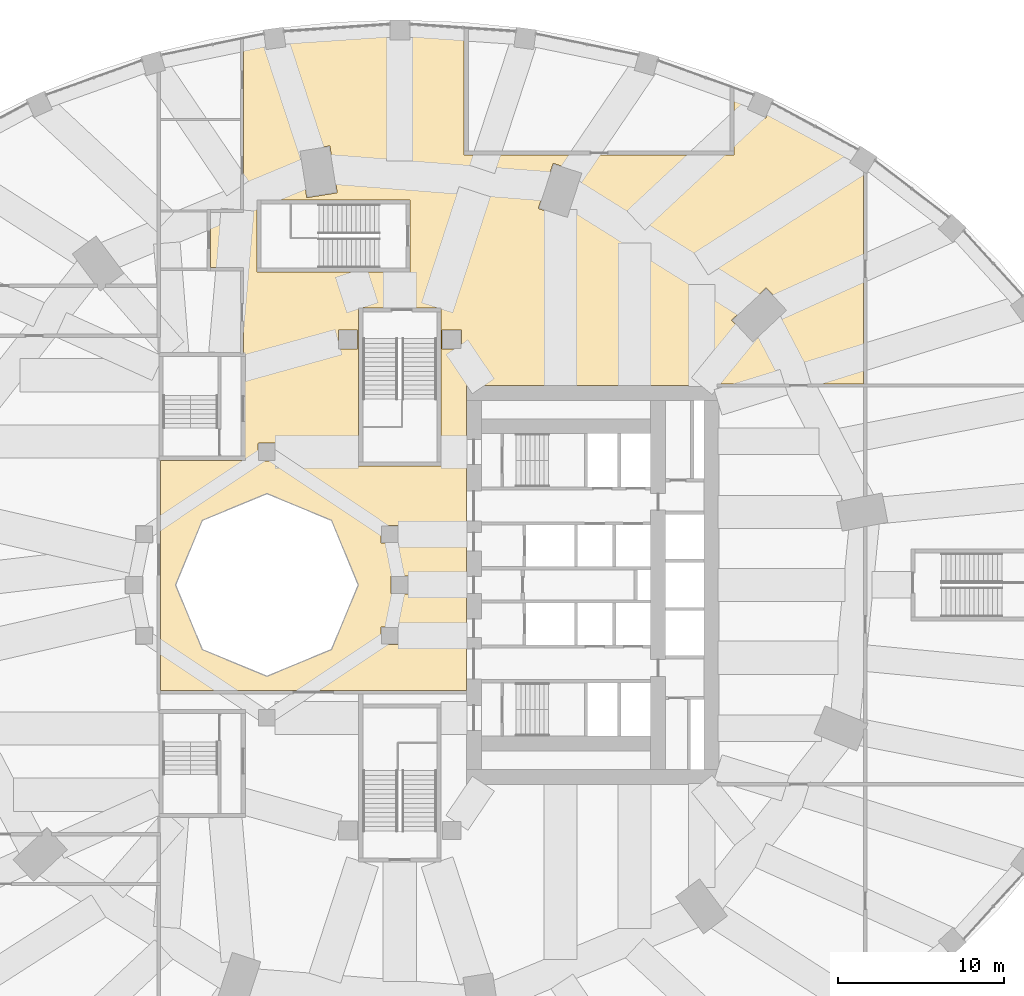
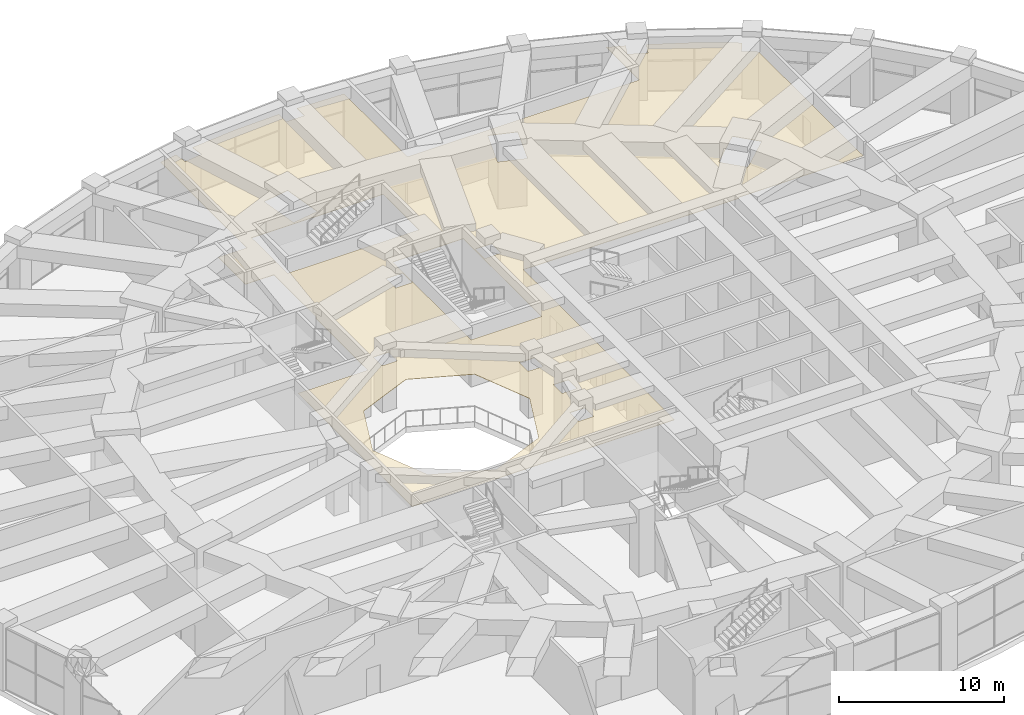
# One storey, part 30 of 32: 1 covering.
"""IFC4 building model written with IfcOpenShell, lengths in metres."""

from ifc_helpers import new_model, si_unit, direction, frame, origin, place, context, subcontext, project, spatial, polyline, outline, extrude, material, layer, layer_set, type_object, element, save


model = new_model("IFC4")

# Units and contexts
model_context = context("Model", 3, precision=1e-05, world=origin(), true_north=direction((0.0, 1.0)))
body_context = subcontext(model_context, "Body", "Model", "MODEL_VIEW")
ifc_project = project(units=[si_unit("LENGTHUNIT", "METRE"), si_unit("AREAUNIT", "SQUARE_METRE"), si_unit("VOLUMEUNIT", "CUBIC_METRE"), si_unit("PLANEANGLEUNIT", "RADIAN"), si_unit("MASSUNIT", "GRAM", prefix="KILO")], contexts=[model_context])

# Site, building, storey
site_placement = place(None, origin())
site = spatial("IfcSite", under=ifc_project, at=site_placement, CompositionType="ELEMENT")
building_placement = place(site_placement, origin())
building = spatial("IfcBuilding", under=site, at=building_placement, Name="Taillehof Tower", CompositionType="ELEMENT")
storey_placement = place(building_placement, frame((0.0, 0.0, 7.5)))
storey = spatial("IfcBuildingStorey", under=building, at=storey_placement, Name="L01", CompositionType="ELEMENT", Elevation=7.5)

# Covering
ifc_material = material(Name="Mineral fibre ceiling tiles")
ifc_layer = layer(ifc_material, 0.030029296875)
ifc_layer_set = layer_set([ifc_layer], Name="Suspended ceiling 30 mm")
covering_type = type_object("IfcCoveringType", Name="Suspended ceiling 30 mm", PredefinedType="CEILING", material=ifc_layer_set)
covering_placement = place(storey_placement, frame((0.0, 0.0, 3.510009765625)))
element("IfcCovering", 1, at=covering_placement, inside=storey, type_object=covering_type, Name="Ceiling L01-27", PredefinedType="CEILING", context=body_context, shape_type="SweptSolid", body=[
    extrude(outline(polyline([(4.0, -6.35009765625), (-14.39990234375, -6.35009765625), (-14.39990234375, 7.5), (-9.5, 7.5), (-9.5, 13.89990234375), (-9.39990234375, 13.89990234375), (-9.39990234375, 18.89990234375), (-9.39990234375, 19.10009765625), (-11.39990234375, 19.10009765625), (-11.39990234375, 22.39990234375), (-9.39990234375, 22.39990234375), (-9.39990234375, 22.60009765625), (-9.39990234375, 27.89990234375), (-9.39990234375, 32.87841796875), (-8.1982421875, 33.083740234375), (-8.07958984375, 32.213134765625), (-8.0791015625, 32.210205078125), (-8.078125, 32.207275390625), (-8.0771484375, 32.20458984375), (-8.07568359375, 32.201904296875), (-8.07421875, 32.199462890625), (-8.072265625, 32.197265625), (-8.0703125, 32.195068359375), (-8.06787109375, 32.193115234375), (-8.065673828125, 32.19140625), (-8.06298828125, 32.190185546875), (-8.060302734375, 32.18896484375), (-8.057373046875, 32.18798828125), (-8.0546875, 32.1875), (-8.0517578125, 32.18701171875), (-8.048828125, 32.18701171875), (-8.0458984375, 32.187255859375), (-6.856689453125, 32.349365234375), (-6.853759765625, 32.349853515625), (-6.85107421875, 32.350830078125), (-6.848388671875, 32.351806640625), (-6.845703125, 32.353271484375), (-6.84326171875, 32.354736328125), (-6.8408203125, 32.356689453125), (-6.8388671875, 32.358642578125), (-6.8369140625, 32.36083984375), (-6.835205078125, 32.36328125), (-6.833740234375, 32.365966796875), (-6.832763671875, 32.36865234375), (-6.831787109375, 32.371337890625), (-6.831298828125, 32.374267578125), (-6.830810546875, 32.377197265625), (-6.830810546875, 32.380126953125), (-6.8310546875, 32.383056640625), (-6.94970703125, 33.253173828125), (-3.806640625, 33.572021484375), (-0.6298828125, 33.678955078125), (-0.6298828125, 32.800048828125), (-0.6298828125, 32.797119140625), (-0.62939453125, 32.794189453125), (-0.628662109375, 32.791259765625), (-0.627685546875, 32.78857421875), (-0.62646484375, 32.785888671875), (-0.625, 32.783447265625), (-0.623291015625, 32.781005859375), (-0.62109375, 32.77880859375), (-0.619140625, 32.77685546875), (-0.61669921875, 32.775146484375), (-0.6142578125, 32.7734375), (-0.611572265625, 32.772216796875), (-0.608642578125, 32.771240234375), (-0.60595703125, 32.7705078125), (-0.60302734375, 32.770263671875), (-0.60009765625, 32.77001953125), (0.60009765625, 32.77001953125), (0.60302734375, 32.770263671875), (0.60595703125, 32.7705078125), (0.608642578125, 32.771240234375), (0.611572265625, 32.772216796875), (0.6142578125, 32.7734375), (0.61669921875, 32.775146484375), (0.619140625, 32.77685546875), (0.62109375, 32.77880859375), (0.623291015625, 32.781005859375), (0.625, 32.783447265625), (0.62646484375, 32.785888671875), (0.627685546875, 32.78857421875), (0.628662109375, 32.791259765625), (0.62939453125, 32.794189453125), (0.6298828125, 32.797119140625), (0.6298828125, 32.800048828125), (0.6298828125, 33.678955078125), (3.806640625, 33.572021484375), (3.875, 33.56494140625), (3.875, 26.125), (3.875, 25.875), (20.125, 25.875), (20.125, 26.125), (20.125, 29.878173828125), (21.236328125, 29.432373046875), (20.880126953125, 28.634033203125), (20.879150390625, 28.63134765625), (20.87841796875, 28.62841796875), (20.8779296875, 28.62548828125), (20.877685546875, 28.62255859375), (20.877685546875, 28.61962890625), (20.8779296875, 28.61669921875), (20.878662109375, 28.61376953125), (20.879638671875, 28.611083984375), (20.880859375, 28.6083984375), (20.88232421875, 28.605712890625), (20.8837890625, 28.603271484375), (20.8857421875, 28.60107421875), (20.887939453125, 28.59912109375), (20.890380859375, 28.59716796875), (20.892822265625, 28.595703125), (20.895263671875, 28.594482421875), (21.9912109375, 28.10546875), (21.993896484375, 28.1044921875), (21.996826171875, 28.103515625), (21.999755859375, 28.10302734375), (22.002685546875, 28.102783203125), (22.005615234375, 28.10302734375), (22.008544921875, 28.103271484375), (22.011474609375, 28.10400390625), (22.01416015625, 28.104736328125), (22.016845703125, 28.10595703125), (22.01953125, 28.107421875), (22.02197265625, 28.109130859375), (22.024169921875, 28.111083984375), (22.026123046875, 28.11328125), (22.028076171875, 28.115478515625), (22.029541015625, 28.117919921875), (22.031005859375, 28.12060546875), (22.387939453125, 28.921142578125), (25.055419921875, 27.611572265625), (27.51611328125, 26.156494140625), (27.0419921875, 25.42529296875), (27.04052734375, 25.422607421875), (27.039306640625, 25.419921875), (27.038330078125, 25.417236328125), (27.03759765625, 25.414306640625), (27.037109375, 25.411376953125), (27.037109375, 25.408447265625), (27.037353515625, 25.405517578125), (27.037841796875, 25.402587890625), (27.03857421875, 25.399658203125), (27.03955078125, 25.39697265625), (27.040771484375, 25.394287109375), (27.04248046875, 25.391845703125), (27.044189453125, 25.389404296875), (27.046142578125, 25.387451171875), (27.04833984375, 25.385498046875), (27.05078125, 25.3837890625), (27.89990234375, 24.8330078125), (27.89990234375, 12.10009765625), (19.10009765625, 12.10009765625), (19.10009765625, 12.0), (4.0, 12.0), (4.0, -6.35009765625)]), holes=[polyline([(-13.5, 0.0), (-11.88916015625, -3.88916015625), (-8.0, -5.5), (-4.11083984375, -3.88916015625), (-2.5, 0.0), (-4.11083984375, 3.88916015625), (-8.0, 5.5), (-11.88916015625, 3.88916015625), (-13.5, 0.0)]), polyline([(2.47509765625, 16.419921875), (2.47509765625, 16.669921875), (-2.22509765625, 16.669921875), (-2.47509765625, 16.669921875), (-2.47509765625, 7.39990234375), (-2.47509765625, 7.14990234375), (2.47509765625, 7.14990234375), (2.47509765625, 7.39990234375), (2.47509765625, 16.419921875)]), polyline([(0.610107421875, 18.824951171875), (0.610107421875, 19.074951171875), (0.610107421875, 19.074951171875), (0.610107421875, 22.925048828125), (0.610107421875, 22.925048828125), (0.610107421875, 23.175048828125), (-8.360107421875, 23.175048828125), (-8.610107421875, 23.175048828125), (-8.610107421875, 19.074951171875), (-8.610107421875, 18.824951171875), (0.610107421875, 18.824951171875)]), polyline([(-1.120361328125, -3.589111328125), (-1.11767578125, -3.590087890625), (-1.11474609375, -3.5908203125), (-1.11181640625, -3.59130859375), (-1.10888671875, -3.591552734375), (-0.10888671875, -3.591552734375), (-0.10595703125, -3.59130859375), (-0.10302734375, -3.5908203125), (-0.100341796875, -3.590087890625), (-0.097412109375, -3.589111328125), (-0.0947265625, -3.587890625), (-0.09228515625, -3.58642578125), (-0.08984375, -3.584716796875), (-0.087646484375, -3.582763671875), (-0.085693359375, -3.58056640625), (-0.083984375, -3.578125), (-0.08251953125, -3.57568359375), (-0.081298828125, -3.572998046875), (-0.080322265625, -3.570068359375), (-0.07958984375, -3.5673828125), (-0.0791015625, -3.564453125), (-0.078857421875, -3.5615234375), (-0.078857421875, -2.5615234375), (-0.0791015625, -2.55859375), (-0.07958984375, -2.5556640625), (-0.080322265625, -2.552734375), (-0.081298828125, -2.550048828125), (-0.08251953125, -2.54736328125), (-0.083984375, -2.544921875), (-0.085693359375, -2.54248046875), (-0.087646484375, -2.540283203125), (-0.08984375, -2.538330078125), (-0.09228515625, -2.53662109375), (-0.0947265625, -2.534912109375), (-0.097412109375, -2.53369140625), (-0.100341796875, -2.53271484375), (-0.10302734375, -2.531982421875), (-0.10595703125, -2.531494140625), (-0.10888671875, -2.531494140625), (-1.10888671875, -2.531494140625), (-1.11181640625, -2.531494140625), (-1.11474609375, -2.531982421875), (-1.11767578125, -2.53271484375), (-1.120361328125, -2.53369140625), (-1.123046875, -2.534912109375), (-1.125732421875, -2.53662109375), (-1.1279296875, -2.538330078125), (-1.130126953125, -2.540283203125), (-1.132080078125, -2.54248046875), (-1.1337890625, -2.544921875), (-1.135498046875, -2.54736328125), (-1.13671875, -2.550048828125), (-1.1376953125, -2.552734375), (-1.138427734375, -2.5556640625), (-1.138916015625, -2.55859375), (-1.138916015625, -2.5615234375), (-1.138916015625, -3.5615234375), (-1.138916015625, -3.564453125), (-1.138427734375, -3.5673828125), (-1.1376953125, -3.570068359375), (-1.13671875, -3.572998046875), (-1.135498046875, -3.57568359375), (-1.1337890625, -3.578125), (-1.132080078125, -3.58056640625), (-1.130126953125, -3.582763671875), (-1.1279296875, -3.584716796875), (-1.125732421875, -3.58642578125), (-1.123046875, -3.587890625), (-1.120361328125, -3.589111328125)]), polyline([(-0.5087890625, -0.52880859375), (-0.505859375, -0.529541015625), (-0.5029296875, -0.52978515625), (-0.5, -0.530029296875), (0.5, -0.530029296875), (0.5029296875, -0.52978515625), (0.505859375, -0.529541015625), (0.5087890625, -0.52880859375), (0.511474609375, -0.52783203125), (0.51416015625, -0.5263671875), (0.5166015625, -0.52490234375), (0.51904296875, -0.523193359375), (0.521240234375, -0.521240234375), (0.523193359375, -0.51904296875), (0.52490234375, -0.5166015625), (0.5263671875, -0.51416015625), (0.52783203125, -0.511474609375), (0.52880859375, -0.5087890625), (0.529541015625, -0.505859375), (0.52978515625, -0.5029296875), (0.530029296875, -0.5), (0.530029296875, 0.5), (0.52978515625, 0.5029296875), (0.529541015625, 0.505859375), (0.52880859375, 0.5087890625), (0.52783203125, 0.511474609375), (0.5263671875, 0.51416015625), (0.52490234375, 0.5166015625), (0.523193359375, 0.51904296875), (0.521240234375, 0.521240234375), (0.51904296875, 0.523193359375), (0.5166015625, 0.52490234375), (0.51416015625, 0.5263671875), (0.511474609375, 0.52783203125), (0.5087890625, 0.52880859375), (0.505859375, 0.529541015625), (0.5029296875, 0.52978515625), (0.5, 0.530029296875), (-0.5, 0.530029296875), (-0.5029296875, 0.52978515625), (-0.505859375, 0.529541015625), (-0.5087890625, 0.52880859375), (-0.511474609375, 0.52783203125), (-0.51416015625, 0.5263671875), (-0.5166015625, 0.52490234375), (-0.51904296875, 0.523193359375), (-0.521240234375, 0.521240234375), (-0.523193359375, 0.51904296875), (-0.52490234375, 0.5166015625), (-0.5263671875, 0.51416015625), (-0.52783203125, 0.511474609375), (-0.52880859375, 0.5087890625), (-0.529541015625, 0.505859375), (-0.52978515625, 0.5029296875), (-0.530029296875, 0.5), (-0.530029296875, -0.5), (-0.52978515625, -0.5029296875), (-0.529541015625, -0.505859375), (-0.52880859375, -0.5087890625), (-0.52783203125, -0.511474609375), (-0.5263671875, -0.51416015625), (-0.52490234375, -0.5166015625), (-0.523193359375, -0.51904296875), (-0.521240234375, -0.521240234375), (-0.51904296875, -0.523193359375), (-0.5166015625, -0.52490234375), (-0.51416015625, -0.5263671875), (-0.511474609375, -0.52783203125), (-0.5087890625, -0.52880859375)]), polyline([(-1.120361328125, 2.53369140625), (-1.11767578125, 2.53271484375), (-1.11474609375, 2.531982421875), (-1.11181640625, 2.531494140625), (-1.10888671875, 2.531494140625), (-0.10888671875, 2.531494140625), (-0.10595703125, 2.531494140625), (-0.10302734375, 2.531982421875), (-0.100341796875, 2.53271484375), (-0.097412109375, 2.53369140625), (-0.0947265625, 2.534912109375), (-0.09228515625, 2.53662109375), (-0.08984375, 2.538330078125), (-0.087646484375, 2.540283203125), (-0.085693359375, 2.54248046875), (-0.083984375, 2.544921875), (-0.08251953125, 2.54736328125), (-0.081298828125, 2.550048828125), (-0.080322265625, 2.552734375), (-0.07958984375, 2.5556640625), (-0.0791015625, 2.55859375), (-0.078857421875, 2.5615234375), (-0.078857421875, 3.5615234375), (-0.0791015625, 3.564453125), (-0.07958984375, 3.5673828125), (-0.080322265625, 3.570068359375), (-0.081298828125, 3.572998046875), (-0.08251953125, 3.57568359375), (-0.083984375, 3.578125), (-0.085693359375, 3.58056640625), (-0.087646484375, 3.582763671875), (-0.08984375, 3.584716796875), (-0.09228515625, 3.58642578125), (-0.0947265625, 3.587890625), (-0.097412109375, 3.589111328125), (-0.100341796875, 3.590087890625), (-0.10302734375, 3.5908203125), (-0.10595703125, 3.59130859375), (-0.10888671875, 3.591552734375), (-1.10888671875, 3.591552734375), (-1.11181640625, 3.59130859375), (-1.11474609375, 3.5908203125), (-1.11767578125, 3.590087890625), (-1.120361328125, 3.589111328125), (-1.123046875, 3.587890625), (-1.125732421875, 3.58642578125), (-1.1279296875, 3.584716796875), (-1.130126953125, 3.582763671875), (-1.132080078125, 3.58056640625), (-1.1337890625, 3.578125), (-1.135498046875, 3.57568359375), (-1.13671875, 3.572998046875), (-1.1376953125, 3.570068359375), (-1.138427734375, 3.5673828125), (-1.138916015625, 3.564453125), (-1.138916015625, 3.5615234375), (-1.138916015625, 2.5615234375), (-1.138916015625, 2.55859375), (-1.138427734375, 2.5556640625), (-1.1376953125, 2.552734375), (-1.13671875, 2.550048828125), (-1.135498046875, 2.54736328125), (-1.1337890625, 2.544921875), (-1.132080078125, 2.54248046875), (-1.130126953125, 2.540283203125), (-1.1279296875, 2.538330078125), (-1.125732421875, 2.53662109375), (-1.123046875, 2.534912109375), (-1.120361328125, 2.53369140625)]), polyline([(-8.511474609375, 7.47216796875), (-8.5087890625, 7.47119140625), (-8.505859375, 7.470458984375), (-8.5029296875, 7.47021484375), (-8.5, 7.469970703125), (-7.5, 7.469970703125), (-7.4970703125, 7.47021484375), (-7.494140625, 7.470458984375), (-7.4912109375, 7.47119140625), (-7.488525390625, 7.47216796875), (-7.48583984375, 7.4736328125), (-7.4833984375, 7.47509765625), (-7.48095703125, 7.476806640625), (-7.478759765625, 7.478759765625), (-7.476806640625, 7.48095703125), (-7.47509765625, 7.4833984375), (-7.4736328125, 7.48583984375), (-7.47216796875, 7.488525390625), (-7.47119140625, 7.4912109375), (-7.470458984375, 7.494140625), (-7.47021484375, 7.4970703125), (-7.469970703125, 7.5), (-7.469970703125, 8.5), (-7.47021484375, 8.5029296875), (-7.470458984375, 8.505859375), (-7.47119140625, 8.5087890625), (-7.47216796875, 8.511474609375), (-7.4736328125, 8.51416015625), (-7.47509765625, 8.5166015625), (-7.476806640625, 8.51904296875), (-7.478759765625, 8.521240234375), (-7.48095703125, 8.523193359375), (-7.4833984375, 8.52490234375), (-7.48583984375, 8.5263671875), (-7.488525390625, 8.52783203125), (-7.4912109375, 8.52880859375), (-7.494140625, 8.529541015625), (-7.4970703125, 8.52978515625), (-7.5, 8.530029296875), (-8.5, 8.530029296875), (-8.5029296875, 8.52978515625), (-8.505859375, 8.529541015625), (-8.5087890625, 8.52880859375), (-8.511474609375, 8.52783203125), (-8.51416015625, 8.5263671875), (-8.5166015625, 8.52490234375), (-8.51904296875, 8.523193359375), (-8.521240234375, 8.521240234375), (-8.523193359375, 8.51904296875), (-8.52490234375, 8.5166015625), (-8.5263671875, 8.51416015625), (-8.52783203125, 8.511474609375), (-8.52880859375, 8.5087890625), (-8.529541015625, 8.505859375), (-8.52978515625, 8.5029296875), (-8.530029296875, 8.5), (-8.530029296875, 7.5), (-8.52978515625, 7.4970703125), (-8.529541015625, 7.494140625), (-8.52880859375, 7.4912109375), (-8.52783203125, 7.488525390625), (-8.5263671875, 7.48583984375), (-8.52490234375, 7.4833984375), (-8.523193359375, 7.48095703125), (-8.521240234375, 7.478759765625), (-8.51904296875, 7.476806640625), (-8.5166015625, 7.47509765625), (-8.51416015625, 7.4736328125), (-8.511474609375, 7.47216796875)]), polyline([(-3.687255859375, 14.1943359375), (-3.684326171875, 14.193359375), (-3.681640625, 14.192626953125), (-3.6787109375, 14.1923828125), (-3.67578125, 14.192138671875), (-2.57568359375, 14.192138671875), (-2.57275390625, 14.1923828125), (-2.56982421875, 14.192626953125), (-2.56689453125, 14.193359375), (-2.564208984375, 14.1943359375), (-2.5615234375, 14.195556640625), (-2.55908203125, 14.197265625), (-2.556640625, 14.198974609375), (-2.554443359375, 14.200927734375), (-2.552490234375, 14.203125), (-2.55078125, 14.20556640625), (-2.54931640625, 14.2080078125), (-2.5478515625, 14.210693359375), (-2.546875, 14.21337890625), (-2.546142578125, 14.21630859375), (-2.5458984375, 14.21923828125), (-2.545654296875, 14.22216796875), (-2.545654296875, 15.322021484375), (-2.5458984375, 15.324951171875), (-2.546142578125, 15.327880859375), (-2.546875, 15.330810546875), (-2.5478515625, 15.33349609375), (-2.54931640625, 15.336181640625), (-2.55078125, 15.3388671875), (-2.552490234375, 15.341064453125), (-2.554443359375, 15.34326171875), (-2.556640625, 15.34521484375), (-2.55908203125, 15.34716796875), (-2.5615234375, 15.3486328125), (-2.564208984375, 15.349853515625), (-2.56689453125, 15.350830078125), (-2.56982421875, 15.3515625), (-2.57275390625, 15.35205078125), (-2.57568359375, 15.35205078125), (-3.67578125, 15.35205078125), (-3.6787109375, 15.35205078125), (-3.681640625, 15.3515625), (-3.684326171875, 15.350830078125), (-3.687255859375, 15.349853515625), (-3.689697265625, 15.3486328125), (-3.6923828125, 15.34716796875), (-3.694580078125, 15.34521484375), (-3.69677734375, 15.34326171875), (-3.698974609375, 15.341064453125), (-3.70068359375, 15.3388671875), (-3.7021484375, 15.336181640625), (-3.703369140625, 15.33349609375), (-3.704345703125, 15.330810546875), (-3.705078125, 15.327880859375), (-3.70556640625, 15.324951171875), (-3.70556640625, 15.322021484375), (-3.70556640625, 14.22216796875), (-3.70556640625, 14.21923828125), (-3.705078125, 14.21630859375), (-3.704345703125, 14.21337890625), (-3.703369140625, 14.210693359375), (-3.7021484375, 14.2080078125), (-3.70068359375, 14.20556640625), (-3.698974609375, 14.203125), (-3.69677734375, 14.200927734375), (-3.694580078125, 14.198974609375), (-3.6923828125, 14.197265625), (-3.689697265625, 14.195556640625), (-3.687255859375, 14.1943359375)]), polyline([(2.564208984375, 14.1943359375), (2.56689453125, 14.193359375), (2.56982421875, 14.192626953125), (2.57275390625, 14.1923828125), (2.57568359375, 14.192138671875), (3.67578125, 14.192138671875), (3.6787109375, 14.1923828125), (3.681640625, 14.192626953125), (3.684326171875, 14.193359375), (3.687255859375, 14.1943359375), (3.689697265625, 14.195556640625), (3.6923828125, 14.197265625), (3.694580078125, 14.198974609375), (3.69677734375, 14.200927734375), (3.698974609375, 14.203125), (3.70068359375, 14.20556640625), (3.7021484375, 14.2080078125), (3.703369140625, 14.210693359375), (3.704345703125, 14.21337890625), (3.705078125, 14.21630859375), (3.70556640625, 14.21923828125), (3.70556640625, 14.22216796875), (3.70556640625, 15.322021484375), (3.70556640625, 15.324951171875), (3.705078125, 15.327880859375), (3.704345703125, 15.330810546875), (3.703369140625, 15.33349609375), (3.7021484375, 15.336181640625), (3.70068359375, 15.3388671875), (3.698974609375, 15.341064453125), (3.69677734375, 15.34326171875), (3.694580078125, 15.34521484375), (3.6923828125, 15.34716796875), (3.689697265625, 15.3486328125), (3.687255859375, 15.349853515625), (3.684326171875, 15.350830078125), (3.681640625, 15.3515625), (3.6787109375, 15.35205078125), (3.67578125, 15.35205078125), (2.57568359375, 15.35205078125), (2.57275390625, 15.35205078125), (2.56982421875, 15.3515625), (2.56689453125, 15.350830078125), (2.564208984375, 15.349853515625), (2.5615234375, 15.3486328125), (2.55908203125, 15.34716796875), (2.556640625, 15.34521484375), (2.554443359375, 15.34326171875), (2.552490234375, 15.341064453125), (2.55078125, 15.3388671875), (2.54931640625, 15.336181640625), (2.5478515625, 15.33349609375), (2.546875, 15.330810546875), (2.546142578125, 15.327880859375), (2.5458984375, 15.324951171875), (2.545654296875, 15.322021484375), (2.545654296875, 14.22216796875), (2.5458984375, 14.21923828125), (2.546142578125, 14.21630859375), (2.546875, 14.21337890625), (2.5478515625, 14.210693359375), (2.54931640625, 14.2080078125), (2.55078125, 14.20556640625), (2.552490234375, 14.203125), (2.554443359375, 14.200927734375), (2.556640625, 14.198974609375), (2.55908203125, 14.197265625), (2.5615234375, 14.195556640625), (2.564208984375, 14.1943359375)]), polyline([(-3.768798828125, 23.6171875), (-3.768310546875, 23.619873046875), (-3.76806640625, 23.622802734375), (-3.76806640625, 23.6259765625), (-3.768310546875, 23.62890625), (-4.20556640625, 26.39453125), (-4.2060546875, 26.397216796875), (-4.20703125, 26.400146484375), (-4.208251953125, 26.40283203125), (-4.209716796875, 26.405517578125), (-4.211181640625, 26.407958984375), (-4.213134765625, 26.41015625), (-4.21533203125, 26.412109375), (-4.217529296875, 26.4140625), (-4.219970703125, 26.41552734375), (-4.22265625, 26.4169921875), (-4.225341796875, 26.418212890625), (-4.228271484375, 26.4189453125), (-4.231201171875, 26.41943359375), (-4.234130859375, 26.419677734375), (-4.237060546875, 26.419677734375), (-4.239990234375, 26.41943359375), (-6.017822265625, 26.138427734375), (-6.020751953125, 26.1376953125), (-6.0234375, 26.13671875), (-6.026123046875, 26.1357421875), (-6.02880859375, 26.13427734375), (-6.03125, 26.132568359375), (-6.033447265625, 26.130615234375), (-6.03564453125, 26.128662109375), (-6.037353515625, 26.126220703125), (-6.0390625, 26.123779296875), (-6.040283203125, 26.121337890625), (-6.04150390625, 26.118408203125), (-6.042236328125, 26.11572265625), (-6.042724609375, 26.11279296875), (-6.043212890625, 26.10986328125), (-6.04296875, 26.10693359375), (-6.042724609375, 26.10400390625), (-5.60546875, 23.33837890625), (-5.60498046875, 23.33544921875), (-5.60400390625, 23.332763671875), (-5.60302734375, 23.329833984375), (-5.6015625, 23.327392578125), (-5.599853515625, 23.324951171875), (-5.597900390625, 23.32275390625), (-5.595947265625, 23.320556640625), (-5.593505859375, 23.31884765625), (-5.591064453125, 23.317138671875), (-5.58837890625, 23.315673828125), (-5.585693359375, 23.314697265625), (-5.5830078125, 23.31396484375), (-5.580078125, 23.313232421875), (-5.5771484375, 23.31298828125), (-5.57421875, 23.31298828125), (-5.5712890625, 23.3134765625), (-3.793212890625, 23.594482421875), (-3.79052734375, 23.594970703125), (-3.78759765625, 23.595947265625), (-3.784912109375, 23.59716796875), (-3.7822265625, 23.5986328125), (-3.77978515625, 23.60009765625), (-3.777587890625, 23.60205078125), (-3.775634765625, 23.604248046875), (-3.773681640625, 23.6064453125), (-3.772216796875, 23.60888671875), (-3.770751953125, 23.611572265625), (-3.76953125, 23.6142578125), (-3.768798828125, 23.6171875)]), polyline([(21.244140625, 14.588623046875), (21.246826171875, 14.589599609375), (21.24951171875, 14.591064453125), (21.251953125, 14.5927734375), (21.254150390625, 14.5947265625), (23.29833984375, 16.508056640625), (23.300537109375, 16.51025390625), (23.30224609375, 16.512451171875), (23.303955078125, 16.514892578125), (23.30517578125, 16.517578125), (23.306396484375, 16.520263671875), (23.30712890625, 16.523193359375), (23.3076171875, 16.526123046875), (23.307861328125, 16.529052734375), (23.307861328125, 16.531982421875), (23.3076171875, 16.534912109375), (23.306884765625, 16.53759765625), (23.305908203125, 16.54052734375), (23.304931640625, 16.543212890625), (23.303466796875, 16.545654296875), (23.3017578125, 16.548095703125), (23.2998046875, 16.550537109375), (22.06982421875, 17.86474609375), (22.067626953125, 17.86669921875), (22.0654296875, 17.868408203125), (22.06298828125, 17.8701171875), (22.060302734375, 17.87158203125), (22.0576171875, 17.87255859375), (22.0546875, 17.873291015625), (22.0517578125, 17.873779296875), (22.048828125, 17.8740234375), (22.0458984375, 17.8740234375), (22.04296875, 17.873779296875), (22.040283203125, 17.873046875), (22.037353515625, 17.872314453125), (22.03466796875, 17.87109375), (22.031982421875, 17.86962890625), (22.02978515625, 17.867919921875), (22.02734375, 17.865966796875), (19.983154296875, 15.95263671875), (19.98095703125, 15.95068359375), (19.979248046875, 15.9482421875), (19.9775390625, 15.94580078125), (19.976318359375, 15.943115234375), (19.97509765625, 15.9404296875), (19.974365234375, 15.937744140625), (19.973876953125, 15.934814453125), (19.9736328125, 15.931884765625), (19.9736328125, 15.928955078125), (19.97412109375, 15.926025390625), (19.974609375, 15.923095703125), (19.9755859375, 15.920166015625), (19.976806640625, 15.91748046875), (19.97802734375, 15.9150390625), (19.979736328125, 15.91259765625), (19.981689453125, 15.910400390625), (21.211669921875, 14.59619140625), (21.2138671875, 14.593994140625), (21.216064453125, 14.59228515625), (21.218505859375, 14.590576171875), (21.22119140625, 14.58935546875), (21.223876953125, 14.588134765625), (21.226806640625, 14.58740234375), (21.229736328125, 14.5869140625), (21.232666015625, 14.586669921875), (21.235595703125, 14.586669921875), (21.238525390625, 14.5869140625), (21.241455078125, 14.587646484375), (21.244140625, 14.588623046875)]), polyline([(10.106201171875, 22.09765625), (10.10791015625, 22.099853515625), (10.109619140625, 22.1025390625), (10.11083984375, 22.10498046875), (10.11181640625, 22.10791015625), (10.98046875, 24.769775390625), (10.981201171875, 24.7724609375), (10.981689453125, 24.775390625), (10.98193359375, 24.7783203125), (10.98193359375, 24.78125), (10.9814453125, 24.7841796875), (10.98095703125, 24.787109375), (10.97998046875, 24.789794921875), (10.978759765625, 24.79248046875), (10.977294921875, 24.795166015625), (10.9755859375, 24.797607421875), (10.9736328125, 24.7998046875), (10.971435546875, 24.8017578125), (10.96923828125, 24.803466796875), (10.966552734375, 24.80517578125), (10.964111328125, 24.806396484375), (10.961181640625, 24.807373046875), (9.25, 25.365966796875), (9.247314453125, 25.36669921875), (9.244384765625, 25.3671875), (9.241455078125, 25.367431640625), (9.238525390625, 25.3671875), (9.235595703125, 25.366943359375), (9.232666015625, 25.3662109375), (9.22998046875, 25.365234375), (9.227294921875, 25.364013671875), (9.224609375, 25.362548828125), (9.22216796875, 25.36083984375), (9.219970703125, 25.359130859375), (9.218017578125, 25.35693359375), (9.21630859375, 25.3544921875), (9.214599609375, 25.35205078125), (9.21337890625, 25.349365234375), (9.212158203125, 25.3466796875), (8.34375, 22.684814453125), (8.3427734375, 22.681884765625), (8.34228515625, 22.678955078125), (8.34228515625, 22.676025390625), (8.34228515625, 22.673095703125), (8.342529296875, 22.670166015625), (8.34326171875, 22.66748046875), (8.34423828125, 22.66455078125), (8.345458984375, 22.661865234375), (8.346923828125, 22.659423828125), (8.3486328125, 22.656982421875), (8.3505859375, 22.65478515625), (8.3525390625, 22.65283203125), (8.35498046875, 22.65087890625), (8.357421875, 22.6494140625), (8.360107421875, 22.64794921875), (8.36279296875, 22.64697265625), (10.073974609375, 22.088623046875), (10.076904296875, 22.087890625), (10.079833984375, 22.08740234375), (10.082763671875, 22.087158203125), (10.085693359375, 22.087158203125), (10.088623046875, 22.087646484375), (10.091552734375, 22.088134765625), (10.09423828125, 22.089111328125), (10.096923828125, 22.09033203125), (10.099609375, 22.091796875), (10.101806640625, 22.093505859375), (10.10400390625, 22.095458984375), (10.106201171875, 22.09765625)])]), origin(), (0.0, 0.0, 1.0), 0.030029296875),
])

save(model, "model.ifc")
